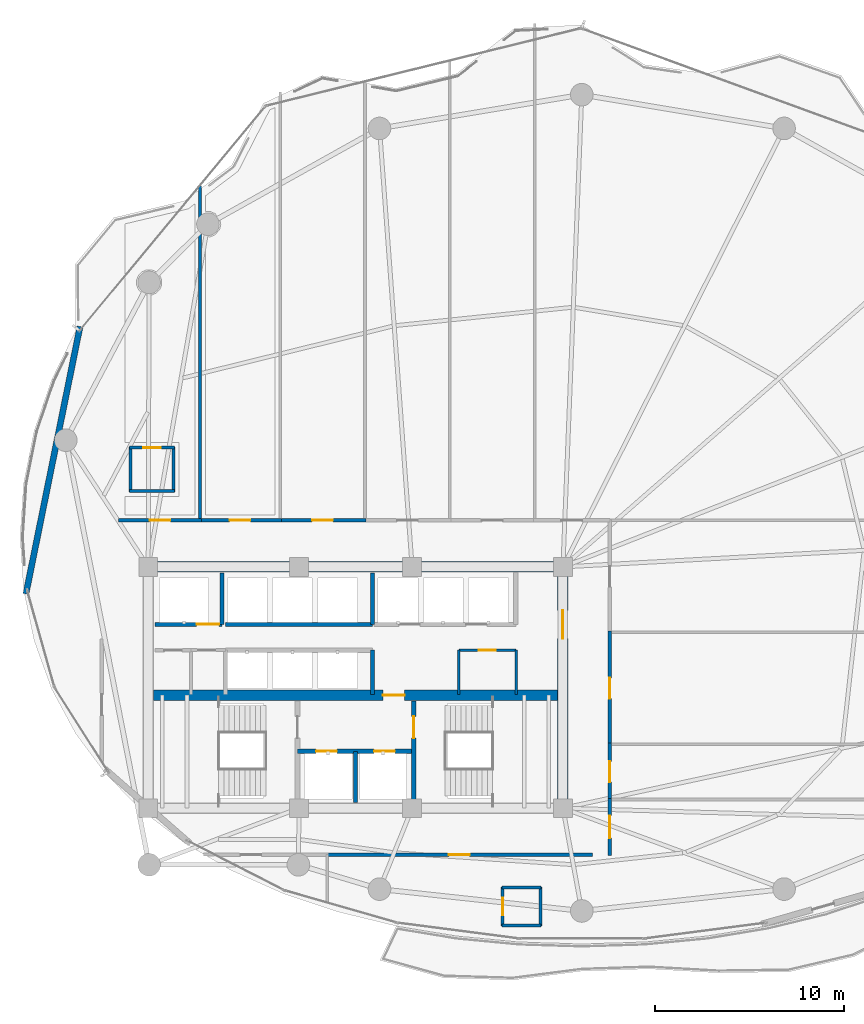
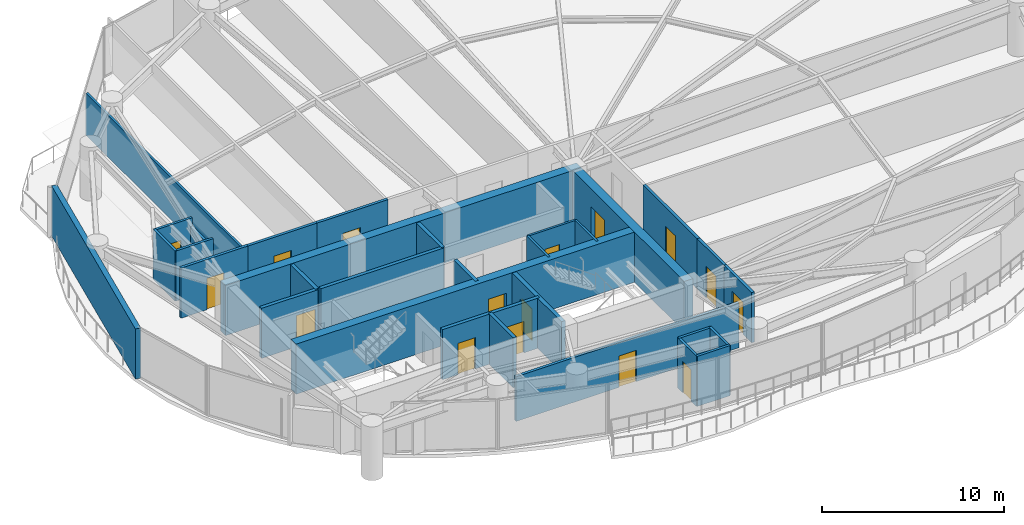
# One storey, part 23 of 28: 31 walls, 16 doors, 16 openings.
"""IFC4 building model written with IfcOpenShell, lengths in metres."""

from ifc_helpers import new_model, si_unit, direction, frame, frame_2d, origin, place, context, subcontext, project, spatial, rectangle, extrude, material, layer, layer_set, type_object, element, fill, save


model = new_model("IFC4")

# Units and contexts
model_context = context("Model", 3, precision=1e-05, world=origin(), true_north=direction((0.0, 1.0)))
body_context = subcontext(model_context, "Body", "Model", "MODEL_VIEW")
ifc_project = project(units=[si_unit("LENGTHUNIT", "METRE"), si_unit("AREAUNIT", "SQUARE_METRE"), si_unit("VOLUMEUNIT", "CUBIC_METRE"), si_unit("PLANEANGLEUNIT", "RADIAN"), si_unit("MASSUNIT", "GRAM", prefix="KILO")], contexts=[model_context])

# Site, building, storey
site_placement = place(None, origin())
site = spatial("IfcSite", under=ifc_project, at=site_placement, CompositionType="ELEMENT")
building_placement = place(site_placement, origin())
building = spatial("IfcBuilding", under=site, at=building_placement, Name="Kazevale Care Tower and Concert Hall", CompositionType="ELEMENT")
storey_placement = place(building_placement, frame((0.0, 0.0, 102.60009765625)))
storey = spatial("IfcBuildingStorey", under=building, at=storey_placement, Name="L26", CompositionType="ELEMENT", Elevation=102.60009765625)

# Walls
ifc_material_1 = material(Name="Acoustic Gypsum on Steel Stud", Category="steel")
ifc_layer_1 = layer(ifc_material_1, 0.139892578125)
ifc_layer_set_1 = layer_set([ifc_layer_1], Name="Acoustic Gypsum on Steel Stud")
wall_type_1 = type_object("IfcWallType", Name="Acoustic Care & Suite Partition 140", PredefinedType="PARTITIONING", material=ifc_layer_set_1)
for number, where, z_axis, x_axis, name in (
    (1, (38.47998046875, 29.6201171875, 0.0), (0.0, 0.0, 1.0), (0.0, 1.0, 0.0), "wall:L26:kb_ew"),
    (2, (41.52001953125, 29.6201171875, 0.0), (0.0, 0.0, 1.0), (0.0, 1.0, 0.0), "wall:L26:kb_ee"),
):
    element("IfcWall", number, at=place(storey_placement, frame(where, z_axis=z_axis, x_axis=x_axis)), inside=storey, type_object=wall_type_1, Name=name, PredefinedType="PARTITIONING", context=body_context, shape_type="SweptSolid", body=[
        extrude(rectangle(XDim=2.35986328125, YDim=0.139892578125, at=frame_2d((1.179931640625, 0.0))), origin(), (0.0, 0.0, 1.0), 3.35986328125),
    ])

# Wall, opening, door
wall_1_placement = place(storey_placement, frame((38.47998046875, 31.97998046875, 0.0), z_axis=(0.0, 0.0, 1.0), x_axis=(1.0, 0.0, 0.0)))
wall_1 = element("IfcWall", 3, at=wall_1_placement, inside=storey, type_object=wall_type_1, Name="wall:L26:kb_en", PredefinedType="PARTITIONING", context=body_context, shape_type="SweptSolid", body=[
    extrude(rectangle(XDim=3.0400390625, YDim=0.139892578125, at=frame_2d((1.52001953125, 0.0))), origin(), (0.0, 0.0, 1.0), 3.35986328125),
])
opening_1_placement = place(wall_1_placement, frame((1.044921875, 0.0, 0.0)))
opening_1 = element("IfcOpeningElement", 4, at=opening_1_placement, cuts=wall_1, Name="Opening ID-900", PredefinedType="OPENING", context=body_context, shape_type="SweptSolid", body=[
    extrude(rectangle(XDim=0.919921875, YDim=2.10009765625, at=frame_2d((0.4599609375, 1.050048828125))), frame((0.0, 0.079833984375, 0.0), z_axis=(0.0, -1.0, 0.0), x_axis=(1.0, 0.0, 0.0)), (0.0, 0.0, 1.0), 0.159912109375),
])
ifc_material_2 = material(Name="Oak Timber Fire Leaf", Category="wood")
door_type_1 = type_object("IfcDoorType", Name="Bathroom & Service Door 920x2100", OperationType="NOTDEFINED", PredefinedType="DOOR", material=ifc_material_2)
door_1_placement = place(opening_1_placement, origin())
door_1 = element("IfcDoor", 5, at=door_1_placement, inside=storey, type_object=door_type_1, Name="door:L26:d_kbe", OperationType="SINGLE_SWING_LEFT", OverallHeight=2.10009765625, OverallWidth=0.919921875, PredefinedType="DOOR", context=body_context, shape_type="SweptSolid", body=[
    extrude(rectangle(XDim=0.919921875, YDim=2.10009765625, at=frame_2d((0.4599609375, 1.050048828125))), frame((0.0, 0.02490234375, 0.0), z_axis=(0.0, -1.0, 0.0), x_axis=(1.0, 0.0, 0.0)), (0.0, 0.0, 1.0), 0.050048828125),
])
fill(opening_1, door_1)

# Walls
wall_2_placement = place(storey_placement, frame((24.75, 56.594970703125, 0.0), z_axis=(0.0, 0.0, 1.0), x_axis=(0.0, -1.0, 0.0)))
element("IfcWall", 6, at=wall_2_placement, inside=storey, type_object=wall_type_1, Name="wall:L26:auto_014", PredefinedType="PARTITIONING", context=body_context, shape_type="SweptSolid", body=[
    extrude(rectangle(XDim=17.75, YDim=0.139892578125, at=frame_2d((8.875, 0.0))), origin(), (0.0, 0.0, 1.0), 2.805908203125),
])
ifc_material_3 = material(Name="Concrete C60", Category="concrete")
ifc_layer_2 = layer(ifc_material_3, 0.550048828125)
ifc_layer_set_2 = layer_set([ifc_layer_2], Name="Concrete C60")
wall_type_2 = type_object("IfcWallType", Name="Core Shear Wall 550 C60", PredefinedType="SHEAR", material=ifc_layer_set_2)
wall_3_placement = place(storey_placement, frame((21.72509765625, 36.39990234375, 0.0), z_axis=(0.0, 0.0, 1.0), x_axis=(1.0, 0.0, 0.0)))
element("IfcWall", 7, at=wall_3_placement, inside=storey, type_object=wall_type_2, Name="wall:L26:core:N", PredefinedType="SHEAR", context=body_context, shape_type="SweptSolid", body=[
    extrude(rectangle(XDim=22.5498046875, YDim=0.550048828125, at=frame_2d((11.27490234375, 0.0))), origin(), (0.0, 0.0, 1.0), 3.35986328125),
])

# Wall, opening, door
wall_4_placement = place(storey_placement, frame((44.0, 23.875, 0.0), z_axis=(0.0, 0.0, 1.0), x_axis=(0.0, 1.0, 0.0)))
wall_4 = element("IfcWall", 8, at=wall_4_placement, inside=storey, type_object=wall_type_2, Name="wall:L26:core:E", PredefinedType="SHEAR", context=body_context, shape_type="SweptSolid", body=[
    extrude(rectangle(XDim=12.25, YDim=0.550048828125, at=frame_2d((6.125, 0.0))), origin(), (0.0, 0.0, 1.0), 3.35986328125),
])
opening_2_placement = place(wall_4_placement, frame((8.72509765625, 0.0, 0.0)))
opening_2 = element("IfcOpeningElement", 9, at=opening_2_placement, cuts=wall_4, Name="Opening FD-60D", PredefinedType="OPENING", context=body_context, shape_type="SweptSolid", body=[
    extrude(rectangle(XDim=1.5, YDim=2.14990234375, at=frame_2d((0.75, 1.074951171875))), frame((0.0, 0.284912109375, 0.0), z_axis=(0.0, -1.0, 0.0), x_axis=(1.0, 0.0, 0.0)), (0.0, 0.0, 1.0), 0.570068359375),
])
door_type_2 = type_object("IfcDoorType", Name="Double Lobby & Auditorium Fire Door 1500x2150", OperationType="NOTDEFINED", PredefinedType="DOOR", material=ifc_material_2)
door_2_placement = place(opening_2_placement, origin())
door_2 = element("IfcDoor", 10, at=door_2_placement, inside=storey, type_object=door_type_2, Name="door:L26:core_east_out", OperationType="DOUBLE_DOOR_SINGLE_SWING", OverallHeight=2.14990234375, OverallWidth=1.5, PredefinedType="DOOR", context=body_context, shape_type="SweptSolid", body=[
    extrude(rectangle(XDim=1.5, YDim=2.14990234375, at=frame_2d((0.75, 1.074951171875))), frame((0.0, 0.02490234375, 0.0), z_axis=(0.0, -1.0, 0.0), x_axis=(1.0, 0.0, 0.0)), (0.0, 0.0, 1.0), 0.050048828125),
])
fill(opening_2, door_2)

wall_5_placement = place(storey_placement, frame((22.27490234375, 29.60009765625, 0.0), z_axis=(0.0, 0.0, 1.0), x_axis=(1.0, 0.0, 0.0)))
wall_5 = element("IfcWall", 11, at=wall_5_placement, inside=storey, type_object=wall_type_2, Name="wall:L26:core:M", PredefinedType="SHEAR", context=body_context, shape_type="SweptSolid", body=[
    extrude(rectangle(XDim=21.4501953125, YDim=0.550048828125, at=frame_2d((10.72509765625, 0.0))), origin(), (0.0, 0.0, 1.0), 3.35986328125),
])
opening_3_placement = place(wall_5_placement, frame((12.175048828125, 0.0, 0.0)))
opening_3 = element("IfcOpeningElement", 12, at=opening_3_placement, cuts=wall_5, Name="Opening FD-90", PredefinedType="OPENING", context=body_context, shape_type="SweptSolid", body=[
    extrude(rectangle(XDim=1.14990234375, YDim=2.10009765625, at=frame_2d((0.574951171875, 1.050048828125))), frame((0.0, 0.284912109375, 0.0), z_axis=(0.0, -1.0, 0.0), x_axis=(1.0, 0.0, 0.0)), (0.0, 0.0, 1.0), 0.570068359375),
])
ifc_material_4 = material(Name="Steel ASTM A572 Gr 50", Category="steel")
door_type_3 = type_object("IfcDoorType", Name="Pressurized Stair & Lobby Fire Door 1150x2100", OperationType="NOTDEFINED", PredefinedType="DOOR", material=ifc_material_4)
door_3_placement = place(opening_3_placement, origin())
door_3 = element("IfcDoor", 13, at=door_3_placement, inside=storey, type_object=door_type_3, Name="door:L26:ff_to_pax", OperationType="SINGLE_SWING_LEFT", OverallHeight=2.10009765625, OverallWidth=1.14990234375, PredefinedType="DOOR", context=body_context, shape_type="SweptSolid", body=[
    extrude(rectangle(XDim=1.14990234375, YDim=2.10009765625, at=frame_2d((0.574951171875, 1.050048828125))), frame((0.0, 0.02490234375, 0.0), z_axis=(0.0, -1.0, 0.0), x_axis=(1.0, 0.0, 0.0)), (0.0, 0.0, 1.0), 0.050048828125),
])
fill(opening_3, door_3)

# Wall, openings, doors
ifc_material_5 = material(Name="Concrete C40", Category="concrete")
ifc_layer_3 = layer(ifc_material_5, 0.219970703125)
ifc_layer_set_3 = layer_set([ifc_layer_3], Name="Concrete C40")
wall_type_3 = type_object("IfcWallType", Name="Elevator Hoistway Shaft Wall 220", PredefinedType="SOLIDWALL", material=ifc_layer_set_3)
wall_6_placement = place(storey_placement, frame((29.919921875, 26.6201171875, 0.0), z_axis=(0.0, 0.0, 1.0), x_axis=(1.0, 0.0, 0.0)))
wall_6 = element("IfcWall", 14, at=wall_6_placement, inside=storey, type_object=wall_type_3, Name="wall:L26:c_ffl_n", PredefinedType="SOLIDWALL", context=body_context, shape_type="SweptSolid", body=[
    extrude(rectangle(XDim=6.16015625, YDim=0.219970703125, at=frame_2d((3.080078125, 0.0))), origin(), (0.0, 0.0, 1.0), 3.35986328125),
])
opening_4_placement = place(wall_6_placement, frame((0.989990234375, 0.0, 0.0)))
opening_4 = element("IfcOpeningElement", 15, at=opening_4_placement, cuts=wall_6, Name="Opening LD-FF", PredefinedType="OPENING", context=body_context, shape_type="SweptSolid", body=[
    extrude(rectangle(XDim=1.10009765625, YDim=2.10009765625, at=frame_2d((0.550048828125, 1.050048828125))), frame((0.0, 0.119873046875, 0.0), z_axis=(0.0, -1.0, 0.0), x_axis=(1.0, 0.0, 0.0)), (0.0, 0.0, 1.0), 0.239990234375),
])
opening_5_placement = place(wall_6_placement, frame((4.070068359375, 0.0, 0.0)))
opening_5 = element("IfcOpeningElement", 16, at=opening_5_placement, cuts=wall_6, Name="Opening LD-FF", PredefinedType="OPENING", context=body_context, shape_type="SweptSolid", body=[
    extrude(rectangle(XDim=1.10009765625, YDim=2.10009765625, at=frame_2d((0.550048828125, 1.050048828125))), frame((0.0, 0.119873046875, 0.0), z_axis=(0.0, -1.0, 0.0), x_axis=(1.0, 0.0, 0.0)), (0.0, 0.0, 1.0), 0.239990234375),
])
ifc_material_6 = material(Name="Stainless Steel 316", Category="steel")
door_type_4 = type_object("IfcDoorType", Name="Emergency Lift Sliding Landing Door 1100x2100", OperationType="NOTDEFINED", PredefinedType="DOOR", material=ifc_material_6)
door_4_placement = place(opening_4_placement, origin())
door_4 = element("IfcDoor", 17, at=door_4_placement, inside=storey, type_object=door_type_4, Name="door:L26:ld_ffl1", OperationType="SLIDING_TO_LEFT", OverallHeight=2.10009765625, OverallWidth=1.10009765625, PredefinedType="DOOR", context=body_context, shape_type="SweptSolid", body=[
    extrude(rectangle(XDim=1.10009765625, YDim=2.10009765625, at=frame_2d((0.550048828125, 1.050048828125))), frame((0.0, 0.02490234375, 0.0), z_axis=(0.0, -1.0, 0.0), x_axis=(1.0, 0.0, 0.0)), (0.0, 0.0, 1.0), 0.050048828125),
])
fill(opening_4, door_4)
door_5_placement = place(opening_5_placement, origin())
door_5 = element("IfcDoor", 18, at=door_5_placement, inside=storey, type_object=door_type_4, Name="door:L26:ld_ffl2", OperationType="SLIDING_TO_RIGHT", OverallHeight=2.10009765625, OverallWidth=1.10009765625, PredefinedType="DOOR", context=body_context, shape_type="SweptSolid", body=[
    extrude(rectangle(XDim=1.10009765625, YDim=2.10009765625, at=frame_2d((0.550048828125, 1.050048828125))), frame((0.0, 0.02490234375, 0.0), z_axis=(0.0, -1.0, 0.0), x_axis=(1.0, 0.0, 0.0)), (0.0, 0.0, 1.0), 0.050048828125),
])
fill(opening_5, door_5)

# Walls
wall_7_placement = place(storey_placement, frame((33.0, 23.89990234375, 0.0), z_axis=(0.0, 0.0, 1.0), x_axis=(0.0, 1.0, 0.0)))
element("IfcWall", 19, at=wall_7_placement, inside=storey, type_object=wall_type_3, Name="wall:L26:c_ffl_m", PredefinedType="SOLIDWALL", context=body_context, shape_type="SweptSolid", body=[
    extrude(rectangle(XDim=2.72021484375, YDim=0.219970703125, at=frame_2d((1.360107421875, 0.0))), origin(), (0.0, 0.0, 1.0), 3.35986328125),
])
wall_8_placement = place(storey_placement, frame((25.919921875, 33.35009765625, 0.0), z_axis=(0.0, 0.0, 1.0), x_axis=(0.0, 1.0, 0.0)))
element("IfcWall", 20, at=wall_8_placement, inside=storey, type_object=wall_type_3, Name="wall:L26:c_svl_e", PredefinedType="SOLIDWALL", context=body_context, shape_type="SweptSolid", body=[
    extrude(rectangle(XDim=2.72998046875, YDim=0.219970703125, at=frame_2d((1.364990234375, 0.0))), origin(), (0.0, 0.0, 1.0), 3.35986328125),
])

# Wall, opening, door
wall_9_placement = place(storey_placement, frame((22.35009765625, 33.35009765625, 0.0), z_axis=(0.0, 0.0, 1.0), x_axis=(1.0, 0.0, 0.0)))
wall_9 = element("IfcWall", 21, at=wall_9_placement, inside=storey, type_object=wall_type_3, Name="wall:L26:c_svl_s", PredefinedType="SOLIDWALL", context=body_context, shape_type="SweptSolid", body=[
    extrude(rectangle(XDim=3.56982421875, YDim=0.219970703125, at=frame_2d((1.784912109375, 0.0))), origin(), (0.0, 0.0, 1.0), 3.35986328125),
])
opening_6_placement = place(wall_9_placement, frame((2.212890625, 0.0, 0.0)))
opening_6 = element("IfcOpeningElement", 22, at=opening_6_placement, cuts=wall_9, Name="Opening LD-SV", PredefinedType="OPENING", context=body_context, shape_type="SweptSolid", body=[
    extrude(rectangle(XDim=1.199951171875, YDim=2.10009765625, at=frame_2d((0.60009765625, 1.050048828125))), frame((0.0, 0.119873046875, 0.0), z_axis=(0.0, -1.0, 0.0), x_axis=(1.0, 0.0, 0.0)), (0.0, 0.0, 1.0), 0.239990234375),
])
door_type_5 = type_object("IfcDoorType", Name="Service Lift Sliding Landing Door 1200x2100", OperationType="NOTDEFINED", PredefinedType="DOOR", material=ifc_material_6)
door_6_placement = place(opening_6_placement, origin())
door_6 = element("IfcDoor", 23, at=door_6_placement, inside=storey, type_object=door_type_5, Name="door:L26:ld_svl1", OperationType="SLIDING_TO_LEFT", OverallHeight=2.10009765625, OverallWidth=1.199951171875, PredefinedType="DOOR", context=body_context, shape_type="SweptSolid", body=[
    extrude(rectangle(XDim=1.199951171875, YDim=2.10009765625, at=frame_2d((0.60009765625, 1.050048828125))), frame((0.0, 0.02490234375, 0.0), z_axis=(0.0, -1.0, 0.0), x_axis=(1.0, 0.0, 0.0)), (0.0, 0.0, 1.0), 0.050048828125),
])
fill(opening_6, door_6)

# Walls
wall_10_placement = place(storey_placement, frame((33.89990234375, 29.6201171875, 0.0), z_axis=(0.0, 0.0, 1.0), x_axis=(0.0, 1.0, 0.0)))
element("IfcWall", 24, at=wall_10_placement, inside=storey, type_object=wall_type_3, Name="wall:L26:c_ph_e", PredefinedType="SOLIDWALL", context=body_context, shape_type="SweptSolid", body=[
    extrude(rectangle(XDim=2.35986328125, YDim=0.219970703125, at=frame_2d((1.179931640625, 0.0))), origin(), (0.0, 0.0, 1.0), 3.35986328125),
])
wall_11_placement = place(storey_placement, frame((26.10009765625, 33.35009765625, 0.0), z_axis=(0.0, 0.0, 1.0), x_axis=(1.0, 0.0, 0.0)))
element("IfcWall", 25, at=wall_11_placement, inside=storey, type_object=wall_type_3, Name="wall:L26:c_pl_s", PredefinedType="SOLIDWALL", context=body_context, shape_type="SweptSolid", body=[
    extrude(rectangle(XDim=7.7998046875, YDim=0.219970703125, at=frame_2d((3.89990234375, 0.0))), origin(), (0.0, 0.0, 1.0), 3.35986328125),
])
wall_12_placement = place(storey_placement, frame((33.89990234375, 33.35009765625, 0.0), z_axis=(0.0, 0.0, 1.0), x_axis=(0.0, 1.0, 0.0)))
element("IfcWall", 26, at=wall_12_placement, inside=storey, type_object=wall_type_3, Name="wall:L26:c_pl_e", PredefinedType="SOLIDWALL", context=body_context, shape_type="SweptSolid", body=[
    extrude(rectangle(XDim=2.72998046875, YDim=0.219970703125, at=frame_2d((1.364990234375, 0.0))), origin(), (0.0, 0.0, 1.0), 3.35986328125),
])

# Wall, opening, door
ifc_material_7 = material(Name="Concrete C40 and Acoustic Gypsum", Category="concrete")
ifc_layer_4 = layer(ifc_material_7, 0.179931640625)
ifc_layer_set_4 = layer_set([ifc_layer_4], Name="Concrete C40 and Acoustic Gypsum")
wall_type_4 = type_object("IfcWallType", Name="Fire-Rated Corridor & Party Wall 180", PredefinedType="PARTITIONING", material=ifc_layer_set_4)
wall_13_placement = place(storey_placement, frame((20.43505859375, 38.875, 0.0), z_axis=(0.0, 0.0, 1.0), x_axis=(1.0, 0.0, 0.0)))
wall_13 = element("IfcWall", 27, at=wall_13_placement, inside=storey, type_object=wall_type_4, Name="wall:L26:auto_001", PredefinedType="PARTITIONING", context=body_context, shape_type="SweptSolid", body=[
    extrude(rectangle(XDim=4.3798828125, YDim=0.179931640625, at=frame_2d((2.18994140625, 0.0))), origin(), (0.0, 0.0, 1.0), 3.35986328125),
])
opening_7_placement = place(wall_13_placement, frame((1.639892578125, 0.0, 0.0)))
opening_7 = element("IfcOpeningElement", 28, at=opening_7_placement, cuts=wall_13, Name="Opening ID-1100", PredefinedType="OPENING", context=body_context, shape_type="SweptSolid", body=[
    extrude(rectangle(XDim=1.10009765625, YDim=2.10009765625, at=frame_2d((0.550048828125, 1.050048828125))), frame((0.0, 0.099853515625, 0.0), z_axis=(0.0, -1.0, 0.0), x_axis=(1.0, 0.0, 0.0)), (0.0, 0.0, 1.0), 0.199951171875),
])
door_type_6 = type_object("IfcDoorType", Name="Care Bedroom Accessible Door 1100x2100", OperationType="NOTDEFINED", PredefinedType="DOOR", material=ifc_material_2)
door_7_placement = place(opening_7_placement, origin())
door_7 = element("IfcDoor", 29, at=door_7_placement, inside=storey, type_object=door_type_6, Name="door:L26:ad_001", OperationType="SINGLE_SWING_LEFT", OverallHeight=2.10009765625, OverallWidth=1.10009765625, PredefinedType="DOOR", context=body_context, shape_type="SweptSolid", body=[
    extrude(rectangle(XDim=1.10009765625, YDim=2.10009765625, at=frame_2d((0.550048828125, 1.050048828125))), frame((0.0, 0.02490234375, 0.0), z_axis=(0.0, -1.0, 0.0), x_axis=(1.0, 0.0, 0.0)), (0.0, 0.0, 1.0), 0.050048828125),
])
fill(opening_7, door_7)

wall_14_placement = place(storey_placement, frame((24.68505859375, 38.875, 0.0), z_axis=(0.0, 0.0, 1.0), x_axis=(1.0, 0.0, 0.0)))
wall_14 = element("IfcWall", 30, at=wall_14_placement, inside=storey, type_object=wall_type_4, Name="wall:L26:auto_002", PredefinedType="PARTITIONING", context=body_context, shape_type="SweptSolid", body=[
    extrude(rectangle(XDim=4.3798828125, YDim=0.179931640625, at=frame_2d((2.18994140625, 0.0))), origin(), (0.0, 0.0, 1.0), 3.35986328125),
])
opening_8_placement = place(wall_14_placement, frame((1.639892578125, 0.0, 0.0)))
opening_8 = element("IfcOpeningElement", 31, at=opening_8_placement, cuts=wall_14, Name="Opening ID-1100", PredefinedType="OPENING", context=body_context, shape_type="SweptSolid", body=[
    extrude(rectangle(XDim=1.10009765625, YDim=2.10009765625, at=frame_2d((0.550048828125, 1.050048828125))), frame((0.0, 0.099853515625, 0.0), z_axis=(0.0, -1.0, 0.0), x_axis=(1.0, 0.0, 0.0)), (0.0, 0.0, 1.0), 0.199951171875),
])
door_8_placement = place(opening_8_placement, origin())
door_8 = element("IfcDoor", 32, at=door_8_placement, inside=storey, type_object=door_type_6, Name="door:L26:ad_002", OperationType="SINGLE_SWING_LEFT", OverallHeight=2.10009765625, OverallWidth=1.10009765625, PredefinedType="DOOR", context=body_context, shape_type="SweptSolid", body=[
    extrude(rectangle(XDim=1.10009765625, YDim=2.10009765625, at=frame_2d((0.550048828125, 1.050048828125))), frame((0.0, 0.02490234375, 0.0), z_axis=(0.0, -1.0, 0.0), x_axis=(1.0, 0.0, 0.0)), (0.0, 0.0, 1.0), 0.050048828125),
])
fill(opening_8, door_8)

wall_15_placement = place(storey_placement, frame((28.93505859375, 38.875, 0.0), z_axis=(0.0, 0.0, 1.0), x_axis=(1.0, 0.0, 0.0)))
wall_15 = element("IfcWall", 33, at=wall_15_placement, inside=storey, type_object=wall_type_4, Name="wall:L26:auto_003", PredefinedType="PARTITIONING", context=body_context, shape_type="SweptSolid", body=[
    extrude(rectangle(XDim=4.6298828125, YDim=0.179931640625, at=frame_2d((2.31494140625, 0.0))), origin(), (0.0, 0.0, 1.0), 3.35986328125),
])
opening_9_placement = place(wall_15_placement, frame((1.764892578125, 0.0, 0.0)))
opening_9 = element("IfcOpeningElement", 34, at=opening_9_placement, cuts=wall_15, Name="Opening ID-1100", PredefinedType="OPENING", context=body_context, shape_type="SweptSolid", body=[
    extrude(rectangle(XDim=1.10009765625, YDim=2.10009765625, at=frame_2d((0.550048828125, 1.050048828125))), frame((0.0, 0.099853515625, 0.0), z_axis=(0.0, -1.0, 0.0), x_axis=(1.0, 0.0, 0.0)), (0.0, 0.0, 1.0), 0.199951171875),
])
door_9_placement = place(opening_9_placement, origin())
door_9 = element("IfcDoor", 35, at=door_9_placement, inside=storey, type_object=door_type_6, Name="door:L26:ad_003", OperationType="SINGLE_SWING_LEFT", OverallHeight=2.10009765625, OverallWidth=1.10009765625, PredefinedType="DOOR", context=body_context, shape_type="SweptSolid", body=[
    extrude(rectangle(XDim=1.10009765625, YDim=2.10009765625, at=frame_2d((0.550048828125, 1.050048828125))), frame((0.0, 0.02490234375, 0.0), z_axis=(0.0, -1.0, 0.0), x_axis=(1.0, 0.0, 0.0)), (0.0, 0.0, 1.0), 0.050048828125),
])
fill(opening_9, door_9)

wall_16_placement = place(storey_placement, frame((46.47509765625, 24.125, 0.0), z_axis=(0.0, 0.0, 1.0), x_axis=(0.0, -1.0, 0.0)))
wall_16 = element("IfcWall", 36, at=wall_16_placement, inside=storey, type_object=wall_type_4, Name="wall:L26:auto_007", PredefinedType="PARTITIONING", context=body_context, shape_type="SweptSolid", body=[
    extrude(rectangle(XDim=3.030029296875, YDim=0.179931640625, at=frame_2d((1.51513671875, 0.0))), origin(), (0.0, 0.0, 1.0), 3.35986328125),
])
opening_10_placement = place(wall_16_placement, frame((0.9150390625, 0.0, 0.0)))
opening_10 = element("IfcOpeningElement", 37, at=opening_10_placement, cuts=wall_16, Name="Opening ID-1200", PredefinedType="OPENING", context=body_context, shape_type="SweptSolid", body=[
    extrude(rectangle(XDim=1.199951171875, YDim=2.14990234375, at=frame_2d((0.60009765625, 1.074951171875))), frame((0.0, 0.099853515625, 0.0), z_axis=(0.0, -1.0, 0.0), x_axis=(1.0, 0.0, 0.0)), (0.0, 0.0, 1.0), 0.199951171875),
])
door_type_7 = type_object("IfcDoorType", Name="Clinical & Therapy Door 1200x2150", OperationType="NOTDEFINED", PredefinedType="DOOR", material=ifc_material_2)
door_10_placement = place(opening_10_placement, origin())
door_10 = element("IfcDoor", 38, at=door_10_placement, inside=storey, type_object=door_type_7, Name="door:L26:ad_007", OperationType="SINGLE_SWING_LEFT", OverallHeight=2.14990234375, OverallWidth=1.199951171875, PredefinedType="DOOR", context=body_context, shape_type="SweptSolid", body=[
    extrude(rectangle(XDim=1.199951171875, YDim=2.14990234375, at=frame_2d((0.60009765625, 1.074951171875))), frame((0.0, 0.02490234375, 0.0), z_axis=(0.0, -1.0, 0.0), x_axis=(1.0, 0.0, 0.0)), (0.0, 0.0, 1.0), 0.050048828125),
])
fill(opening_10, door_10)

wall_17_placement = place(storey_placement, frame((46.47509765625, 27.06494140625, 0.0), z_axis=(0.0, 0.0, 1.0), x_axis=(0.0, -1.0, 0.0)))
wall_17 = element("IfcWall", 39, at=wall_17_placement, inside=storey, type_object=wall_type_4, Name="wall:L26:auto_008", PredefinedType="PARTITIONING", context=body_context, shape_type="SweptSolid", body=[
    extrude(rectangle(XDim=3.06982421875, YDim=0.179931640625, at=frame_2d((1.534912109375, 0.0))), origin(), (0.0, 0.0, 1.0), 3.35986328125),
])
opening_11_placement = place(wall_17_placement, frame((0.985107421875, 0.0, 0.0)))
opening_11 = element("IfcOpeningElement", 40, at=opening_11_placement, cuts=wall_17, Name="Opening ID-1100", PredefinedType="OPENING", context=body_context, shape_type="SweptSolid", body=[
    extrude(rectangle(XDim=1.10009765625, YDim=2.10009765625, at=frame_2d((0.550048828125, 1.050048828125))), frame((0.0, 0.099853515625, 0.0), z_axis=(0.0, -1.0, 0.0), x_axis=(1.0, 0.0, 0.0)), (0.0, 0.0, 1.0), 0.199951171875),
])
door_11_placement = place(opening_11_placement, origin())
door_11 = element("IfcDoor", 41, at=door_11_placement, inside=storey, type_object=door_type_6, Name="door:L26:ad_008", OperationType="SINGLE_SWING_LEFT", OverallHeight=2.10009765625, OverallWidth=1.10009765625, PredefinedType="DOOR", context=body_context, shape_type="SweptSolid", body=[
    extrude(rectangle(XDim=1.10009765625, YDim=2.10009765625, at=frame_2d((0.550048828125, 1.050048828125))), frame((0.0, 0.02490234375, 0.0), z_axis=(0.0, -1.0, 0.0), x_axis=(1.0, 0.0, 0.0)), (0.0, 0.0, 1.0), 0.050048828125),
])
fill(opening_11, door_11)

wall_18_placement = place(storey_placement, frame((46.47509765625, 33.0048828125, 0.0), z_axis=(0.0, 0.0, 1.0), x_axis=(0.0, -1.0, 0.0)))
wall_18 = element("IfcWall", 42, at=wall_18_placement, inside=storey, type_object=wall_type_4, Name="wall:L26:auto_009", PredefinedType="PARTITIONING", context=body_context, shape_type="SweptSolid", body=[
    extrude(rectangle(XDim=6.06982421875, YDim=0.179931640625, at=frame_2d((3.034912109375, 0.0))), origin(), (0.0, 0.0, 1.0), 3.35986328125),
])
opening_12_placement = place(wall_18_placement, frame((2.485107421875, 0.0, 0.0)))
opening_12 = element("IfcOpeningElement", 43, at=opening_12_placement, cuts=wall_18, Name="Opening ID-1100", PredefinedType="OPENING", context=body_context, shape_type="SweptSolid", body=[
    extrude(rectangle(XDim=1.10009765625, YDim=2.10009765625, at=frame_2d((0.550048828125, 1.050048828125))), frame((0.0, 0.099853515625, 0.0), z_axis=(0.0, -1.0, 0.0), x_axis=(1.0, 0.0, 0.0)), (0.0, 0.0, 1.0), 0.199951171875),
])
door_12_placement = place(opening_12_placement, origin())
door_12 = element("IfcDoor", 44, at=door_12_placement, inside=storey, type_object=door_type_6, Name="door:L26:ad_009", OperationType="SINGLE_SWING_LEFT", OverallHeight=2.10009765625, OverallWidth=1.10009765625, PredefinedType="DOOR", context=body_context, shape_type="SweptSolid", body=[
    extrude(rectangle(XDim=1.10009765625, YDim=2.10009765625, at=frame_2d((0.550048828125, 1.050048828125))), frame((0.0, 0.02490234375, 0.0), z_axis=(0.0, -1.0, 0.0), x_axis=(1.0, 0.0, 0.0)), (0.0, 0.0, 1.0), 0.050048828125),
])
fill(opening_12, door_12)

wall_19_placement = place(storey_placement, frame((45.56494140625, 21.125, 0.0), z_axis=(0.0, 0.0, 1.0), x_axis=(-1.0, 0.0, 0.0)))
wall_19 = element("IfcWall", 45, at=wall_19_placement, inside=storey, type_object=wall_type_4, Name="wall:L26:auto_012", PredefinedType="PARTITIONING", context=body_context, shape_type="SweptSolid", body=[
    extrude(rectangle(XDim=14.1298828125, YDim=0.179931640625, at=frame_2d((7.06494140625, 0.0))), origin(), (0.0, 0.0, 1.0), 2.995849609375),
])
opening_13_placement = place(wall_19_placement, frame((6.514892578125, 0.0, 0.0)))
opening_13 = element("IfcOpeningElement", 46, at=opening_13_placement, cuts=wall_19, Name="Opening ID-1100", PredefinedType="OPENING", context=body_context, shape_type="SweptSolid", body=[
    extrude(rectangle(XDim=1.10009765625, YDim=2.10009765625, at=frame_2d((0.550048828125, 1.050048828125))), frame((0.0, 0.099853515625, 0.0), z_axis=(0.0, -1.0, 0.0), x_axis=(1.0, 0.0, 0.0)), (0.0, 0.0, 1.0), 0.199951171875),
])
door_13_placement = place(opening_13_placement, origin())
door_13 = element("IfcDoor", 47, at=door_13_placement, inside=storey, type_object=door_type_6, Name="door:L26:ad_012", OperationType="SINGLE_SWING_LEFT", OverallHeight=2.10009765625, OverallWidth=1.10009765625, PredefinedType="DOOR", context=body_context, shape_type="SweptSolid", body=[
    extrude(rectangle(XDim=1.10009765625, YDim=2.10009765625, at=frame_2d((0.550048828125, 1.050048828125))), frame((0.0, 0.02490234375, 0.0), z_axis=(0.0, -1.0, 0.0), x_axis=(1.0, 0.0, 0.0)), (0.0, 0.0, 1.0), 0.050048828125),
])
fill(opening_13, door_13)

# Wall
ifc_layer_5 = layer(ifc_material_1, 0.159912109375)
ifc_layer_set_5 = layer_set([ifc_layer_5], Name="Acoustic Gypsum on Steel Stud")
wall_type_5 = type_object("IfcWallType", Name="Moisture-Resistant Bathroom Plumbing Wall 160", PredefinedType="PLUMBINGWALL", material=ifc_layer_set_5)
wall_20_placement = place(storey_placement, frame((21.010009765625, 40.425048828125, 0.0), z_axis=(0.0, 0.0, 1.0), x_axis=(1.0, 0.0, 0.0)))
element("IfcWall", 48, at=wall_20_placement, inside=storey, type_object=wall_type_5, Name="wall:L26:nb2a_ens_ws", PredefinedType="PLUMBINGWALL", context=body_context, shape_type="SweptSolid", body=[
    extrude(rectangle(XDim=2.3798828125, YDim=0.159912109375, at=frame_2d((1.18994140625, 0.0))), origin(), (0.0, 0.0, 1.0), 3.35986328125),
])

# Wall, opening, door
wall_21_placement = place(storey_placement, frame((21.010009765625, 42.72509765625, 0.0), z_axis=(0.0, 0.0, 1.0), x_axis=(1.0, 0.0, 0.0)))
wall_21 = element("IfcWall", 49, at=wall_21_placement, inside=storey, type_object=wall_type_5, Name="wall:L26:nb2a_ens_wn", PredefinedType="PLUMBINGWALL", context=body_context, shape_type="SweptSolid", body=[
    extrude(rectangle(XDim=2.3798828125, YDim=0.159912109375, at=frame_2d((1.18994140625, 0.0))), origin(), (0.0, 0.0, 1.0), 3.35986328125),
])
opening_14_placement = place(wall_21_placement, frame((0.739990234375, 0.0, 0.0)))
opening_14 = element("IfcOpeningElement", 50, at=opening_14_placement, cuts=wall_21, Name="Opening ID-900", PredefinedType="OPENING", context=body_context, shape_type="SweptSolid", body=[
    extrude(rectangle(XDim=0.919921875, YDim=2.10009765625, at=frame_2d((0.4599609375, 1.050048828125))), frame((0.0, 0.08984375, 0.0), z_axis=(0.0, -1.0, 0.0), x_axis=(1.0, 0.0, 0.0)), (0.0, 0.0, 1.0), 0.179931640625),
])
door_14_placement = place(opening_14_placement, origin())
door_14 = element("IfcDoor", 51, at=door_14_placement, inside=storey, type_object=door_type_1, Name="door:L26:nb2a_ens_d", OperationType="SINGLE_SWING_LEFT", OverallHeight=2.10009765625, OverallWidth=0.919921875, PredefinedType="DOOR", context=body_context, shape_type="SweptSolid", body=[
    extrude(rectangle(XDim=0.919921875, YDim=2.10009765625, at=frame_2d((0.4599609375, 1.050048828125))), frame((0.0, 0.02490234375, 0.0), z_axis=(0.0, -1.0, 0.0), x_axis=(1.0, 0.0, 0.0)), (0.0, 0.0, 1.0), 0.050048828125),
])
fill(opening_14, door_14)

# Walls
wall_22_placement = place(storey_placement, frame((21.050048828125, 40.385009765625, 0.0), z_axis=(0.0, 0.0, 1.0), x_axis=(0.0, 1.0, 0.0)))
element("IfcWall", 52, at=wall_22_placement, inside=storey, type_object=wall_type_5, Name="wall:L26:nb2a_ens_ww", PredefinedType="PLUMBINGWALL", context=body_context, shape_type="SweptSolid", body=[
    extrude(rectangle(XDim=2.3798828125, YDim=0.159912109375, at=frame_2d((1.18994140625, 0.0))), origin(), (0.0, 0.0, 1.0), 3.35986328125),
])
wall_23_placement = place(storey_placement, frame((23.35009765625, 40.385009765625, 0.0), z_axis=(0.0, 0.0, 1.0), x_axis=(0.0, 1.0, 0.0)))
element("IfcWall", 53, at=wall_23_placement, inside=storey, type_object=wall_type_5, Name="wall:L26:nb2a_ens_we", PredefinedType="PLUMBINGWALL", context=body_context, shape_type="SweptSolid", body=[
    extrude(rectangle(XDim=2.3798828125, YDim=0.159912109375, at=frame_2d((1.18994140625, 0.0))), origin(), (0.0, 0.0, 1.0), 2.805908203125),
])
for number, where, z_axis, x_axis, name in (
    (54, (40.760009765625, 17.382080078125, 0.0), (0.0, 0.0, 1.0), (1.0, 0.0, 0.0), "wall:L26:sb2_ens_ws"),
    (55, (40.760009765625, 19.382080078125, 0.0), (0.0, 0.0, 1.0), (1.0, 0.0, 0.0), "wall:L26:sb2_ens_wn"),
):
    element("IfcWall", number, at=place(storey_placement, frame(where, z_axis=z_axis, x_axis=x_axis)), inside=storey, type_object=wall_type_5, Name=name, PredefinedType="PLUMBINGWALL", context=body_context, shape_type="SweptSolid", body=[
        extrude(rectangle(XDim=2.080078125, YDim=0.159912109375, at=frame_2d((1.0400390625, 0.0))), origin(), (0.0, 0.0, 1.0), 3.35986328125),
    ])

# Wall, opening, door
wall_24_placement = place(storey_placement, frame((40.800048828125, 17.342041015625, 0.0), z_axis=(0.0, 0.0, 1.0), x_axis=(0.0, 1.0, 0.0)))
wall_24 = element("IfcWall", 56, at=wall_24_placement, inside=storey, type_object=wall_type_5, Name="wall:L26:sb2_ens_ww", PredefinedType="PLUMBINGWALL", context=body_context, shape_type="SweptSolid", body=[
    extrude(rectangle(XDim=2.080078125, YDim=0.159912109375, at=frame_2d((1.0400390625, 0.0))), origin(), (0.0, 0.0, 1.0), 3.35986328125),
])
opening_15_placement = place(wall_24_placement, frame((0.590087890625, 0.0, 0.0)))
opening_15 = element("IfcOpeningElement", 57, at=opening_15_placement, cuts=wall_24, Name="Opening ID-900", PredefinedType="OPENING", context=body_context, shape_type="SweptSolid", body=[
    extrude(rectangle(XDim=0.919921875, YDim=2.10009765625, at=frame_2d((0.4599609375, 1.050048828125))), frame((0.0, 0.08984375, 0.0), z_axis=(0.0, -1.0, 0.0), x_axis=(1.0, 0.0, 0.0)), (0.0, 0.0, 1.0), 0.179931640625),
])
door_15_placement = place(opening_15_placement, origin())
door_15 = element("IfcDoor", 58, at=door_15_placement, inside=storey, type_object=door_type_1, Name="door:L26:sb2_ens_d", OperationType="SINGLE_SWING_LEFT", OverallHeight=2.10009765625, OverallWidth=0.919921875, PredefinedType="DOOR", context=body_context, shape_type="SweptSolid", body=[
    extrude(rectangle(XDim=0.919921875, YDim=2.10009765625, at=frame_2d((0.4599609375, 1.050048828125))), frame((0.0, 0.02490234375, 0.0), z_axis=(0.0, -1.0, 0.0), x_axis=(1.0, 0.0, 0.0)), (0.0, 0.0, 1.0), 0.050048828125),
])
fill(opening_15, door_15)

# Wall
wall_25_placement = place(storey_placement, frame((42.800048828125, 17.342041015625, 0.0), z_axis=(0.0, 0.0, 1.0), x_axis=(0.0, 1.0, 0.0)))
element("IfcWall", 59, at=wall_25_placement, inside=storey, type_object=wall_type_5, Name="wall:L26:sb2_ens_we", PredefinedType="PLUMBINGWALL", context=body_context, shape_type="SweptSolid", body=[
    extrude(rectangle(XDim=2.080078125, YDim=0.159912109375, at=frame_2d((1.0400390625, 0.0))), origin(), (0.0, 0.0, 1.0), 3.35986328125),
])

# Wall, opening, door
ifc_layer_6 = layer(ifc_material_5, 0.25)
ifc_layer_set_6 = layer_set([ifc_layer_6], Name="Concrete C40")
wall_type_6 = type_object("IfcWallType", Name="Pressurized Stair Shaft Wall 250", PredefinedType="SOLIDWALL", material=ifc_layer_set_6)
wall_26_placement = place(storey_placement, frame((36.080078125, 23.89990234375, 0.0), z_axis=(0.0, 0.0, 1.0), x_axis=(0.0, 1.0, 0.0)))
wall_26 = element("IfcWall", 60, at=wall_26_placement, inside=storey, type_object=wall_type_6, Name="wall:L26:c_st2_w", PredefinedType="SOLIDWALL", context=body_context, shape_type="SweptSolid", body=[
    extrude(rectangle(XDim=5.400146484375, YDim=0.25, at=frame_2d((2.7001953125, 0.0))), origin(), (0.0, 0.0, 1.0), 3.35986328125),
])
opening_16_placement = place(wall_26_placement, frame((3.4208984375, 0.0, 0.0)))
opening_16 = element("IfcOpeningElement", 61, at=opening_16_placement, cuts=wall_26, Name="Opening FD-90", PredefinedType="OPENING", context=body_context, shape_type="SweptSolid", body=[
    extrude(rectangle(XDim=1.14990234375, YDim=2.10009765625, at=frame_2d((0.574951171875, 1.050048828125))), frame((0.0, 0.135009765625, 0.0), z_axis=(0.0, -1.0, 0.0), x_axis=(1.0, 0.0, 0.0)), (0.0, 0.0, 1.0), 0.27001953125),
])
door_16_placement = place(opening_16_placement, origin())
door_16 = element("IfcDoor", 62, at=door_16_placement, inside=storey, type_object=door_type_3, Name="door:L26:st2", OperationType="SINGLE_SWING_LEFT", OverallHeight=2.10009765625, OverallWidth=1.14990234375, PredefinedType="DOOR", context=body_context, shape_type="SweptSolid", body=[
    extrude(rectangle(XDim=1.14990234375, YDim=2.10009765625, at=frame_2d((0.574951171875, 1.050048828125))), frame((0.0, 0.02490234375, 0.0), z_axis=(0.0, -1.0, 0.0), x_axis=(1.0, 0.0, 0.0)), (0.0, 0.0, 1.0), 0.050048828125),
])
fill(opening_16, door_16)

# Wall
ifc_material_8 = material(Name="Concrete C40 with Honed Limestone Cladding", Category="masonry")
ifc_layer_7 = layer(ifc_material_8, 0.320068359375)
ifc_layer_set_7 = layer_set([ifc_layer_7], Name="Concrete C40 with Honed Limestone Cladding")
wall_type_7 = type_object("IfcWallType", Name="Tower Honed Limestone Spandrel Wall 320", PredefinedType="STANDARD", material=ifc_layer_set_7)
wall_27_placement = place(storey_placement, frame((15.513916015625, 34.967041015625, 0.0), z_axis=(0.0, 0.0, 1.0), x_axis=(0.198370893133, 0.980127026848, 0.0)))
element("IfcWall", 63, at=wall_27_placement, inside=storey, type_object=wall_type_7, Name="wall:cw:L26:f13", PredefinedType="STANDARD", context=body_context, shape_type="SweptSolid", body=[
    extrude(rectangle(XDim=14.468505859375, YDim=0.320068359375, at=frame_2d((7.234375, 0.0))), origin(), (0.0, 0.0, 1.0), 3.35986328125),
])

save(model, "model.ifc")
